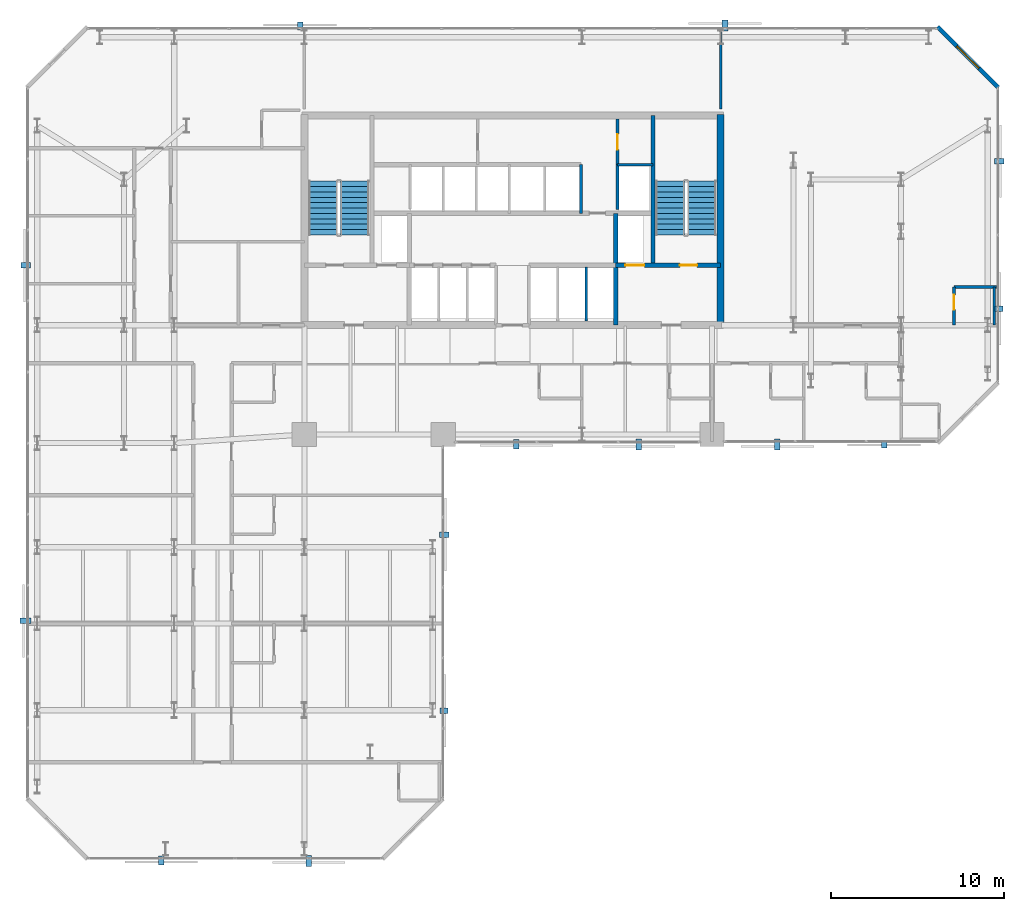
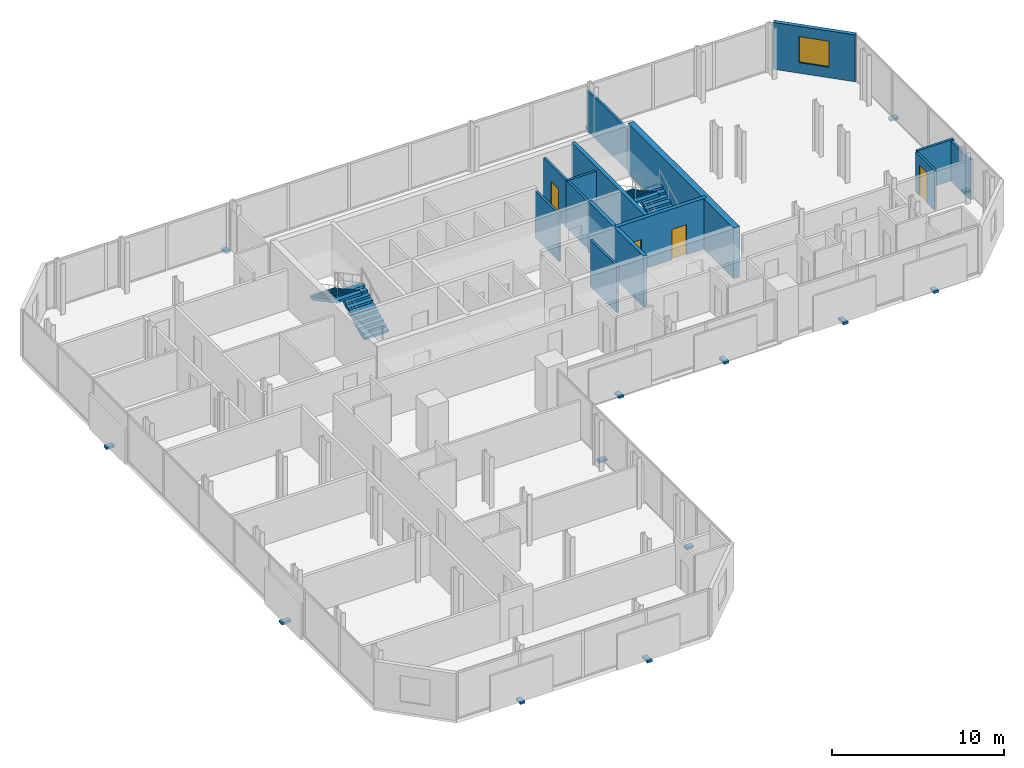
# One storey, part 30 of 32: 14 discrete accessories, 14 walls, 4 doors, 4 stair flights, 1 window, 5 openings, 2 elements without a shape of their own.
"""IFC4 building model written with IfcOpenShell, lengths in metres."""

import ifcopenshell
import ifcopenshell.guid

model = None  # the IFC model being written
_history = None  # IfcOwnerHistory: only IFC2X3 demands one
_inside = {}  # id of a spatial element -> (the spatial element, [elements in it])
_under = {}  # id of a project, library or spatial element -> (it, [spatial elements below it])
_declared = {}  # id of a project -> (the project, [libraries it declares])
_typed = {}  # id of a type object -> (the type object, [elements of that type])
_made_of = {}  # id of a material, layer set ... -> (it, [elements and type objects made of it])


def new_model(schema):
    """Start an empty IFC model of exactly this schema.

    Asked for "IFC4X3", IfcOpenShell would pick the latest addendum, in which some entities
    have other attributes; the version numbers below select the first issue.
    IFC2X3 requires an IfcOwnerHistory on every rooted entity: one is made here for all.
    """
    global model, _history
    if schema == "IFC4X3":
        model = ifcopenshell.file(schema_version=(4, 3, 0, 0))
    else:
        model = ifcopenshell.file(schema=schema)
    _inside.clear()
    _under.clear()
    _declared.clear()
    _typed.clear()
    _made_of.clear()
    _history = None
    if model.schema == "IFC2X3":
        org = make("IfcOrganization", Name="unknown")
        user = make(
            "IfcPersonAndOrganization",
            ThePerson=make("IfcPerson", FamilyName="unknown"),
            TheOrganization=org,
        )
        app = make(
            "IfcApplication",
            ApplicationDeveloper=org,
            Version="unknown",
            ApplicationFullName="unknown",
            ApplicationIdentifier="unknown",
        )
        _history = make(
            "IfcOwnerHistory",
            OwningUser=user,
            OwningApplication=app,
            ChangeAction="ADDED",
            CreationDate=0,
        )
    return model


def make(cls, **values):
    """One entity of the class cls with the attributes given. An attribute that is None is left unset."""
    return model.create_entity(
        cls, **{name: value for name, value in values.items() if value is not None}
    )


def rooted(cls, **values):
    """An entity with a GlobalId (a new one), such as an element, a storey or a relation."""
    return make(cls, GlobalId=ifcopenshell.guid.new(), OwnerHistory=_history, **values)


def si_unit(unit_type, name, prefix=None):
    """IfcSIUnit, for example si_unit("LENGTHUNIT", "METRE", prefix="MILLI")."""
    return make("IfcSIUnit", UnitType=unit_type, Prefix=prefix, Name=name)


def assignment(units):
    """IfcUnitAssignment: the units of a project."""
    return None if units is None else make("IfcUnitAssignment", Units=units)


def point(xyz):
    """IfcCartesianPoint."""
    return None if xyz is None else make("IfcCartesianPoint", Coordinates=xyz)


def direction(xyz):
    """IfcDirection."""
    return None if xyz is None else make("IfcDirection", DirectionRatios=xyz)


def frame(location, z_axis=None, x_axis=None):
    """IfcAxis2Placement3D, a coordinate frame: its origin and axes. An axis left out is left unset."""
    return make(
        "IfcAxis2Placement3D",
        Location=point(location),
        Axis=direction(z_axis),
        RefDirection=direction(x_axis),
    )


def frame_2d(location, x_axis=None):
    """IfcAxis2Placement2D, a coordinate frame in the plane: its origin and x axis."""
    return make(
        "IfcAxis2Placement2D", Location=point(location), RefDirection=direction(x_axis)
    )


def origin():
    """The frame at (0, 0, 0) with its axes left unset."""
    return frame((0.0, 0.0, 0.0))


def origin_2d():
    """The frame at (0, 0) in the plane with its x axis left unset."""
    return frame_2d((0.0, 0.0))


def place(relative_to, where):
    """IfcLocalPlacement: puts the frame where relative to a parent placement (None: the world)."""
    return make(
        "IfcLocalPlacement", PlacementRelTo=relative_to, RelativePlacement=where
    )


def context(
    kind, dimensions, precision=None, world=None, true_north=None, identifier=None
):
    """IfcGeometricRepresentationContext, for example the 3D "Model" context."""
    return make(
        "IfcGeometricRepresentationContext",
        ContextIdentifier=identifier,
        ContextType=kind,
        CoordinateSpaceDimension=dimensions,
        Precision=precision,
        WorldCoordinateSystem=world,
        TrueNorth=true_north,
    )


def subcontext(parent, identifier, kind, view, scale=None):
    """IfcGeometricRepresentationSubContext, for example "Body" below "Model"."""
    return make(
        "IfcGeometricRepresentationSubContext",
        ContextIdentifier=identifier,
        ContextType=kind,
        ParentContext=parent,
        TargetScale=scale,
        TargetView=view,
    )


def project(units=None, contexts=None):
    """IfcProject with its units and contexts."""
    return rooted(
        "IfcProject",
        Name="project",
        RepresentationContexts=contexts,
        UnitsInContext=assignment(units),
    )


def spatial(cls, under=None, at=None, **own):
    """A site, building, storey or space (cls), placed at a placement, below another one or the project."""
    s = rooted(cls, ObjectPlacement=at, **own)
    if under is not None:
        _under.setdefault(under.id(), (under, []))[1].append(s)
    return s


def polyline(points):
    """IfcPolyline through the points."""
    return make("IfcPolyline", Points=[point(p) for p in points])


def profile(cls, at=None, kind="AREA", **sizes):
    """A parametric profile (cls). Its sizes go by their IFC names, for example OverallWidth=200.0."""
    return make(cls, ProfileType=kind, Position=at, **sizes)


def rectangle(**sizes):
    """IfcRectangleProfileDef."""
    return profile("IfcRectangleProfileDef", **sizes)


def outline(outer, holes=None, kind="AREA"):
    """IfcArbitraryClosedProfileDef: a profile drawn as a closed curve; with holes, ...WithVoids."""
    if holes is None:
        return make("IfcArbitraryClosedProfileDef", ProfileType=kind, OuterCurve=outer)
    return make(
        "IfcArbitraryProfileDefWithVoids",
        ProfileType=kind,
        OuterCurve=outer,
        InnerCurves=holes,
    )


def extrude(swept, where, along, depth):
    """IfcExtrudedAreaSolid: the profile swept, set in the frame where, extruded along a direction by depth."""
    return make(
        "IfcExtrudedAreaSolid",
        SweptArea=swept,
        Position=where,
        ExtrudedDirection=direction(along),
        Depth=depth,
    )


def shape(context_of_items, identifier, shape_type, items):
    """IfcShapeRepresentation: the items that make up one representation, for example the "Body"."""
    return make(
        "IfcShapeRepresentation",
        ContextOfItems=context_of_items,
        RepresentationIdentifier=identifier,
        RepresentationType=shape_type,
        Items=items,
    )


def material(Name=None, Category=None):
    """IfcMaterial."""
    return make("IfcMaterial", Name=Name, Category=Category)


def layer(
    of_material, thickness, ventilated=None, Name=None, Category=None, Priority=None
):
    """IfcMaterialLayer: one layer of a wall or slab, of a material (None: an air gap)."""
    return make(
        "IfcMaterialLayer",
        Material=of_material,
        LayerThickness=thickness,
        IsVentilated=ventilated,
        Name=Name,
        Category=Category,
        Priority=Priority,
    )


def layer_set(layers, Name=None):
    """IfcMaterialLayerSet."""
    return make("IfcMaterialLayerSet", MaterialLayers=layers, LayerSetName=Name)


def made_of(thing, what):
    """Note that an element or type object is made of a material, layer set ...; save() writes the relation."""
    if what is not None:
        _made_of.setdefault(what.id(), (what, []))[1].append(thing)
    return thing


def type_object(cls, material=None, **own):
    """A type object (cls), such as IfcWallType, which elements share."""
    return made_of(rooted(cls, **own), material)


def element(
    cls,
    number,
    at=None,
    inside=None,
    cuts=None,
    type_object=None,
    material=None,
    context=None,
    identifier="Body",
    shape_type=None,
    held_by="IfcProductDefinitionShape",
    body=None,
    shapes=None,
    **own,
):
    """One element of the class cls, such as IfcWall. Its Tag is "e" and its number.

    at: its placement. inside: the storey or other place that contains it. cuts: it is an
    opening in that element (IfcRelVoidsElement). A single representation is given by context,
    identifier, shape_type and body (its items); several are given by shapes. held_by: the class
    of the entity that holds the representations. save() writes the other relations.
    """
    e = rooted(cls, Tag="e%d" % number, ObjectPlacement=at, **own)
    if body is not None:
        shapes = [shape(context, identifier, shape_type, body)]
    if shapes is not None:
        e.Representation = make(held_by, Representations=shapes)
    if inside is not None:
        _inside.setdefault(inside.id(), (inside, []))[1].append(e)
    if cuts is not None:
        rooted(
            "IfcRelVoidsElement", RelatingBuildingElement=cuts, RelatedOpeningElement=e
        )
    if type_object is not None:
        _typed.setdefault(type_object.id(), (type_object, []))[1].append(e)
    return made_of(e, material)


def fill(opening, filler):
    """IfcRelFillsElement: the door or window that sits in an opening."""
    return rooted(
        "IfcRelFillsElement",
        RelatingOpeningElement=opening,
        RelatedBuildingElement=filler,
    )


def aggregate(whole, parts):
    """IfcRelAggregates: a whole, such as a stair, and the parts it consists of."""
    return rooted("IfcRelAggregates", RelatingObject=whole, RelatedObjects=parts)


def save(model, path):
    """Write the relations noted so far, then the file.

    IfcRelAggregates (storeys below a building ...), IfcRelContainedInSpatialStructure (elements
    in a storey), IfcRelDefinesByType, IfcRelAssociatesMaterial and IfcRelDeclares: one each for
    every whole, place, type object, material and project.
    """
    for whole, parts in _under.values():
        aggregate(whole, parts)
    for where, things in _inside.values():
        rooted(
            "IfcRelContainedInSpatialStructure",
            RelatedElements=things,
            RelatingStructure=where,
        )
    for kind, things in _typed.values():
        rooted("IfcRelDefinesByType", RelatedObjects=things, RelatingType=kind)
    for what, things in _made_of.values():
        rooted("IfcRelAssociatesMaterial", RelatedObjects=things, RelatingMaterial=what)
    for by, libraries in _declared.values():
        rooted("IfcRelDeclares", RelatingContext=by, RelatedDefinitions=libraries)
    model.write(path)


model = new_model("IFC4")

# Units and contexts
model_context = context("Model", 3, precision=1e-05, world=origin(), true_north=direction((0.0, 1.0)))
body_context = subcontext(model_context, "Body", "Model", "MODEL_VIEW")
ifc_project = project(units=[si_unit("LENGTHUNIT", "METRE"), si_unit("AREAUNIT", "SQUARE_METRE"), si_unit("VOLUMEUNIT", "CUBIC_METRE"), si_unit("PLANEANGLEUNIT", "RADIAN"), si_unit("MASSUNIT", "GRAM", prefix="KILO")], contexts=[model_context])

# Site, building, storey
site_placement = place(None, origin())
site = spatial("IfcSite", under=ifc_project, at=site_placement, CompositionType="ELEMENT")
building_placement = place(site_placement, origin())
building = spatial("IfcBuilding", under=site, at=building_placement, Name="Catumbela Crestline Tower", CompositionType="ELEMENT")
storey_placement = place(building_placement, frame((0.0, 0.0, 65.4)))
storey = spatial("IfcBuildingStorey", under=building, at=storey_placement, Name="L16", CompositionType="ELEMENT", Elevation=65.4)

# Walls
ifc_material_1 = material(Name="Concrete C50/60", Category="concrete")
ifc_layer_1 = layer(ifc_material_1, 0.25, Name="Concrete C50/60")
ifc_layer_set_1 = layer_set([ifc_layer_1], Name="Concrete C50/60")
wall_type_1 = type_object("IfcWallType", Name="CW-250D", PredefinedType="SHEAR", material=ifc_layer_set_1)
wall_1_placement = place(storey_placement, frame((36.1, 34.25, 0.0), z_axis=(0.0, 0.0, 1.0), x_axis=(0.0, 1.0, 0.0)))
element("IfcWall", 1, at=wall_1_placement, inside=storey, type_object=wall_type_1, Name="L16 Structural Core Shear Wall EWEB", PredefinedType="SHEAR", context=body_context, shape_type="SweptSolid", body=[
    extrude(rectangle(XDim=8.65, YDim=0.25, at=frame_2d((4.325, 0.0))), origin(), (0.0, 0.0, 1.0), 3.6),
])
wall_2_placement = place(storey_placement, frame((33.95, 30.8, 0.0), z_axis=(0.0, 0.0, 1.0), x_axis=(0.0, 1.0, 0.0)))
element("IfcWall", 2, at=wall_2_placement, inside=storey, type_object=wall_type_1, Name="L16 Structural Core Shear Wall FFE", PredefinedType="SHEAR", context=body_context, shape_type="SweptSolid", body=[
    extrude(rectangle(XDim=6.45, YDim=0.25, at=frame_2d((3.225, 0.0))), origin(), (0.0, 0.0, 1.0), 3.6),
])

# Wall, openings, doors
wall_3_placement = place(storey_placement, frame((33.95, 34.25, 0.0), z_axis=(0.0, 0.0, 1.0), x_axis=(1.0, 0.0, 0.0)))
wall_3 = element("IfcWall", 3, at=wall_3_placement, inside=storey, type_object=wall_type_1, Name="L16 Structural Core Shear Wall ST2S", PredefinedType="SHEAR", context=body_context, shape_type="SweptSolid", body=[
    extrude(rectangle(XDim=6.05, YDim=0.25, at=frame_2d((3.025, 0.0))), origin(), (0.0, 0.0, 1.0), 3.6),
])
opening_1_placement = place(wall_3_placement, frame((3.7, 0.0, 0.0)))
opening_1 = element("IfcOpeningElement", 4, at=opening_1_placement, cuts=wall_3, Name="Opening DF9-100", PredefinedType="OPENING", context=body_context, shape_type="SweptSolid", body=[
    extrude(rectangle(XDim=1.0, YDim=2.15, at=frame_2d((0.5, 1.075))), frame((0.0, 0.135, 0.0), z_axis=(0.0, -1.0, 0.0), x_axis=(1.0, 0.0, 0.0)), (0.0, 0.0, 1.0), 0.27),
])
opening_2_placement = place(wall_3_placement, frame((0.55, 0.0, 0.0)))
opening_2 = element("IfcOpeningElement", 5, at=opening_2_placement, cuts=wall_3, Name="Opening LD-110", PredefinedType="OPENING", context=body_context, shape_type="SweptSolid", body=[
    extrude(rectangle(XDim=1.1, YDim=2.15, at=frame_2d((0.55, 1.075))), frame((0.0, 0.135, 0.0), z_axis=(0.0, -1.0, 0.0), x_axis=(1.0, 0.0, 0.0)), (0.0, 0.0, 1.0), 0.27),
])
ifc_material_2 = material(Name="Stainless steel EN 1.4401", Category="steel")
door_type_1 = type_object("IfcDoorType", Name="DF9-100", OperationType="NOTDEFINED", PredefinedType="DOOR", material=ifc_material_2)
door_1_placement = place(opening_1_placement, origin())
door_1 = element("IfcDoor", 6, at=door_1_placement, inside=storey, type_object=door_type_1, Name="L16 Interior Door DR-L16-ST02", OperationType="SINGLE_SWING_RIGHT", OverallHeight=2.15, OverallWidth=1.0, PredefinedType="DOOR", context=body_context, shape_type="SweptSolid", body=[
    extrude(rectangle(XDim=1.0, YDim=2.15, at=frame_2d((0.5, 1.075))), frame((0.0, 0.025, 0.0), z_axis=(0.0, -1.0, 0.0), x_axis=(1.0, 0.0, 0.0)), (0.0, 0.0, 1.0), 0.05),
])
fill(opening_1, door_1)
door_type_2 = type_object("IfcDoorType", Name="LD-110", OperationType="NOTDEFINED", PredefinedType="DOOR", material=ifc_material_2)
door_2_placement = place(opening_2_placement, origin())
door_2 = element("IfcDoor", 7, at=door_2_placement, inside=storey, type_object=door_type_2, Name="L16 Lift Landing Sliding Door FL-02", OperationType="DOUBLE_DOOR_SLIDING", OverallHeight=2.15, OverallWidth=1.1, PredefinedType="DOOR", context=body_context, shape_type="SweptSolid", body=[
    extrude(rectangle(XDim=1.1, YDim=2.15, at=frame_2d((0.55, 1.075))), frame((0.0, 0.025, 0.0), z_axis=(0.0, -1.0, 0.0), x_axis=(1.0, 0.0, 0.0)), (0.0, 0.0, 1.0), 0.05),
])
fill(opening_2, door_2)

# Wall
ifc_material_3 = material(Name="Concrete C60/75", Category="concrete")
ifc_layer_2 = layer(ifc_material_3, 0.4, Name="Concrete C60/75")
ifc_layer_set_2 = layer_set([ifc_layer_2], Name="Concrete C60/75")
wall_type_2 = type_object("IfcWallType", Name="CW-400A", PredefinedType="SHEAR", material=ifc_layer_set_2)
wall_4_placement = place(storey_placement, frame((40.0, 30.65, 0.0), z_axis=(0.0, 0.0, 1.0), x_axis=(0.0, 1.0, 0.0)))
element("IfcWall", 8, at=wall_4_placement, inside=storey, type_object=wall_type_2, Name="L16 Structural Core Shear Wall E", PredefinedType="SHEAR", context=body_context, shape_type="SweptSolid", body=[
    extrude(rectangle(XDim=12.3, YDim=0.4, at=frame_2d((6.15, 0.0))), origin(), (0.0, 0.0, 1.0), 3.6),
])

# Wall, opening, window
ifc_material_4 = material(Name="Angolan grey-ochre granite", Category="masonry")
ifc_layer_3 = layer(ifc_material_4, 0.25, Name="Angolan grey-ochre granite")
ifc_layer_set_3 = layer_set([ifc_layer_3], Name="Angolan grey-ochre granite")
wall_type_3 = type_object("IfcWallType", Name="WE-250", PredefinedType="STANDARD", material=ifc_layer_set_3)
wall_5_placement = place(storey_placement, frame((56.0, 44.5, 0.0), z_axis=(0.0, 0.0, 1.0), x_axis=(-0.707106781187, 0.707106781187, 0.0)))
wall_5 = element("IfcWall", 9, at=wall_5_placement, inside=storey, type_object=wall_type_3, Name="L16 Granite Punched Window Wall 6-1", PredefinedType="STANDARD", context=body_context, shape_type="SweptSolid", body=[
    extrude(rectangle(XDim=4.9497, YDim=0.25, at=frame_2d((2.4748, 0.0))), origin(), (0.0, 0.0, 1.0), 3.33),
])
opening_3_placement = place(wall_5_placement, frame((1.5749, 0.0, 0.75)))
opening_3 = element("IfcOpeningElement", 10, at=opening_3_placement, cuts=wall_5, Name="Opening WN-01", PredefinedType="OPENING", context=body_context, shape_type="SweptSolid", body=[
    extrude(rectangle(XDim=1.8, YDim=1.85, at=frame_2d((0.9, 0.925))), frame((0.0, 0.135, 0.0), z_axis=(0.0, -1.0, 0.0), x_axis=(1.0, 0.0, 0.0)), (0.0, 0.0, 1.0), 0.27),
])
ifc_material_5 = material(Name="Low-E laminated solar-control double glazing", Category="glass")
window_type = type_object("IfcWindowType", Name="WF-1800", PartitioningType="SINGLE_PANEL", PredefinedType="WINDOW", material=ifc_material_5)
window_placement = place(opening_3_placement, origin())
window = element("IfcWindow", 11, at=window_placement, inside=storey, type_object=window_type, Name="L16 Facade Vision Window 105", OverallHeight=1.85, OverallWidth=1.8, PartitioningType="SINGLE_PANEL", PredefinedType="WINDOW", context=body_context, shape_type="SweptSolid", body=[
    extrude(rectangle(XDim=1.8, YDim=1.85, at=frame_2d((0.9, 0.925))), frame((0.0, 0.03, 0.0), z_axis=(0.0, -1.0, 0.0), x_axis=(1.0, 0.0, 0.0)), (0.0, 0.0, 1.0), 0.06),
])
fill(opening_3, window)

# Wall
ifc_material_6 = material(Name="Acoustic gypsum and mineral-wool partition")
ifc_layer_4 = layer(ifc_material_6, 0.15, Name="Acoustic gypsum and mineral-wool partition")
ifc_layer_set_4 = layer_set([ifc_layer_4], Name="Acoustic gypsum and mineral-wool partition")
wall_type_4 = type_object("IfcWallType", Name="WP-150", PredefinedType="PARTITIONING", material=ifc_layer_set_4)
wall_6_placement = place(storey_placement, frame((34.05, 40.05, 0.0), z_axis=(0.0, 0.0, 1.0), x_axis=(1.0, 0.0, 0.0)))
element("IfcWall", 12, at=wall_6_placement, inside=storey, type_object=wall_type_4, Name="L16 Interior Partition PW-L16-CR-ES", PredefinedType="PARTITIONING", context=body_context, shape_type="SweptSolid", body=[
    extrude(rectangle(XDim=2.05, YDim=0.15, at=frame_2d((1.025, 0.0))), origin(), (0.0, 0.0, 1.0), 3.33),
])

# Wall, opening, door
wall_7_placement = place(storey_placement, frame((34.05, 40.05, 0.0), z_axis=(0.0, 0.0, 1.0), x_axis=(0.0, 1.0, 0.0)))
wall_7 = element("IfcWall", 13, at=wall_7_placement, inside=storey, type_object=wall_type_4, Name="L16 Interior Partition PW-L16-CR-EW", PredefinedType="PARTITIONING", context=body_context, shape_type="SweptSolid", body=[
    extrude(rectangle(XDim=2.63, YDim=0.15, at=frame_2d((1.315, 0.0))), origin(), (0.0, 0.0, 1.0), 3.33),
])
opening_4_placement = place(wall_7_placement, frame((0.865, 0.0, 0.0)))
opening_4 = element("IfcOpeningElement", 14, at=opening_4_placement, cuts=wall_7, Name="Opening DF9-090", PredefinedType="OPENING", context=body_context, shape_type="SweptSolid", body=[
    extrude(rectangle(XDim=0.9, YDim=2.15, at=frame_2d((0.45, 1.075))), frame((0.0, 0.085, 0.0), z_axis=(0.0, -1.0, 0.0), x_axis=(1.0, 0.0, 0.0)), (0.0, 0.0, 1.0), 0.17),
])
door_type_3 = type_object("IfcDoorType", Name="DF9-090", OperationType="NOTDEFINED", PredefinedType="DOOR", material=ifc_material_2)
door_3_placement = place(opening_4_placement, origin())
door_3 = element("IfcDoor", 15, at=door_3_placement, inside=storey, type_object=door_type_3, Name="L16 Interior Door DR-L16-CREAST", OperationType="SINGLE_SWING_RIGHT", OverallHeight=2.15, OverallWidth=0.9, PredefinedType="DOOR", context=body_context, shape_type="SweptSolid", body=[
    extrude(rectangle(XDim=0.9, YDim=2.15, at=frame_2d((0.45, 1.075))), frame((0.0, 0.025, 0.0), z_axis=(0.0, -1.0, 0.0), x_axis=(1.0, 0.0, 0.0)), (0.0, 0.0, 1.0), 0.05),
])
fill(opening_4, door_3)

# Walls
wall_8_placement = place(storey_placement, frame((40.0, 43.27, 0.0), z_axis=(0.0, 0.0, 1.0), x_axis=(0.0, 1.0, 0.0)))
element("IfcWall", 16, at=wall_8_placement, inside=storey, type_object=wall_type_4, Name="L16 Interior Partition PW-L16-NCF-E", PredefinedType="PARTITIONING", context=body_context, shape_type="SweptSolid", body=[
    extrude(rectangle(XDim=4.63, YDim=0.15, at=frame_2d((2.315, 0.0))), origin(), (0.0, 0.0, 1.0), 2.92),
])
wall_9_placement = place(storey_placement, frame((53.45, 33.0, 0.0), z_axis=(0.0, 0.0, 1.0), x_axis=(1.0, 0.0, 0.0)))
element("IfcWall", 17, at=wall_9_placement, inside=storey, type_object=wall_type_4, Name="L16 Interior Partition PW-L16-NES-BHW", PredefinedType="PARTITIONING", context=body_context, shape_type="SweptSolid", body=[
    extrude(rectangle(XDim=2.45, YDim=0.15, at=frame_2d((1.225, 0.0))), origin(), (0.0, 0.0, 1.0), 2.92),
])

# Wall, opening, door
wall_10_placement = place(storey_placement, frame((53.45, 30.8, 0.0), z_axis=(0.0, 0.0, 1.0), x_axis=(0.0, 1.0, 0.0)))
wall_10 = element("IfcWall", 18, at=wall_10_placement, inside=storey, type_object=wall_type_4, Name="L16 Interior Partition PW-L16-NES-BWW", PredefinedType="PARTITIONING", context=body_context, shape_type="SweptSolid", body=[
    extrude(rectangle(XDim=2.2, YDim=0.15, at=frame_2d((1.1, 0.0))), origin(), (0.0, 0.0, 1.0), 2.83),
])
opening_5_placement = place(wall_10_placement, frame((0.8925, 0.0, 0.0)))
opening_5 = element("IfcOpeningElement", 19, at=opening_5_placement, cuts=wall_10, Name="Opening DI-085", PredefinedType="OPENING", context=body_context, shape_type="SweptSolid", body=[
    extrude(rectangle(XDim=0.85, YDim=2.15, at=frame_2d((0.425, 1.075))), frame((0.0, 0.085, 0.0), z_axis=(0.0, -1.0, 0.0), x_axis=(1.0, 0.0, 0.0)), (0.0, 0.0, 1.0), 0.17),
])
ifc_material_7 = material(Name="Aluminium alloy AW-6060-T66", Category="aluminium")
door_type_4 = type_object("IfcDoorType", Name="DI-085", OperationType="NOTDEFINED", PredefinedType="DOOR", material=ifc_material_7)
door_4_placement = place(opening_5_placement, origin())
door_4 = element("IfcDoor", 20, at=door_4_placement, inside=storey, type_object=door_type_4, Name="L16 Interior Door DR-L16-NES-BTH", OperationType="SINGLE_SWING_RIGHT", OverallHeight=2.15, OverallWidth=0.85, PredefinedType="DOOR", context=body_context, shape_type="SweptSolid", body=[
    extrude(rectangle(XDim=0.85, YDim=2.15, at=frame_2d((0.425, 1.075))), frame((0.0, 0.025, 0.0), z_axis=(0.0, -1.0, 0.0), x_axis=(1.0, 0.0, 0.0)), (0.0, 0.0, 1.0), 0.05),
])
fill(opening_5, door_4)

# Walls
wall_11_placement = place(storey_placement, frame((55.78, 33.0, 0.0), z_axis=(0.0, 0.0, 1.0), x_axis=(0.0, -1.0, 0.0)))
element("IfcWall", 21, at=wall_11_placement, inside=storey, type_object=wall_type_4, Name="L16 Interior Partition PW-L16-NES-BCL-2", PredefinedType="PARTITIONING", context=body_context, shape_type="SweptSolid", body=[
    extrude(rectangle(XDim=2.2, YDim=0.15, at=frame_2d((1.1, 0.0))), origin(), (0.0, 0.0, 1.0), 2.83),
])
ifc_layer_5 = layer(ifc_material_6, 0.15, Name="Acoustic gypsum and mineral-wool partition")
ifc_layer_set_5 = layer_set([ifc_layer_5], Name="Acoustic gypsum and mineral-wool partition")
wall_type_5 = type_object("IfcWallType", Name="WS-150", PredefinedType="PLUMBINGWALL", material=ifc_layer_set_5)
wall_12_placement = place(storey_placement, frame((32.25, 31.05, 0.0), z_axis=(0.0, 0.0, 1.0), x_axis=(0.0, 1.0, 0.0)))
element("IfcWall", 22, at=wall_12_placement, inside=storey, type_object=wall_type_5, Name="L16 Interior Partition PW-L16-SHM2", PredefinedType="PLUMBINGWALL", context=body_context, shape_type="SweptSolid", body=[
    extrude(rectangle(XDim=3.1, YDim=0.15, at=frame_2d((1.55, 0.0))), origin(), (0.0, 0.0, 1.0), 3.33),
])
wall_13_placement = place(storey_placement, frame((31.95, 37.25, 0.0), z_axis=(0.0, 0.0, 1.0), x_axis=(0.0, 1.0, 0.0)))
element("IfcWall", 23, at=wall_13_placement, inside=storey, type_object=wall_type_5, Name="L16 Interior Partition PW-L16-SHEX2E", PredefinedType="PLUMBINGWALL", context=body_context, shape_type="SweptSolid", body=[
    extrude(rectangle(XDim=2.8, YDim=0.15, at=frame_2d((1.4, 0.0))), origin(), (0.0, 0.0, 1.0), 3.33),
])
wall_14_placement = place(storey_placement, frame((34.05, 37.4734, 0.0), z_axis=(0.0, 0.0, 1.0), x_axis=(0.0, 1.0, 0.0)))
element("IfcWall", 24, at=wall_14_placement, inside=storey, type_object=wall_type_5, Name="L16 Interior Partition PW-L16-RISW", PredefinedType="PLUMBINGWALL", context=body_context, shape_type="SweptSolid", body=[
    extrude(rectangle(XDim=2.5766, YDim=0.15, at=frame_2d((1.2883, 0.0))), origin(), (0.0, 0.0, 1.0), 3.33),
])

# Stair, stair flights
ifc_material_8 = material(Name="Concrete C45/55", Category="concrete")
stair_type = type_object("IfcStairType", Name="ST-DLG", PredefinedType="HALF_TURN_STAIR", material=ifc_material_8)
stair_1_placement = place(storey_placement, origin())
stair_1 = element("IfcStair", 25, at=stair_1_placement, inside=storey, type_object=stair_type, Name="L16 West Core Pressurised Exit Stair ST-01", PredefinedType="HALF_TURN_STAIR")
stair_flight_type = type_object("IfcStairFlightType", Name="SF-1636", PredefinedType="STRAIGHT", material=ifc_material_8)
stair_flight_1_placement = place(storey_placement, frame((18.92, 36.0, 0.0), z_axis=(0.0, 0.0, 1.0), x_axis=(0.0, 1.0, 0.0)))
stair_flight_1 = element("IfcStairFlight", 26, at=stair_flight_1_placement, type_object=stair_flight_type, Name="ST-01 flight 1", NumberOfRisers=11, NumberOfTreads=10, PredefinedType="STRAIGHT", RiserHeight=0.163636364, TreadLength=0.31, context=body_context, shape_type="SweptSolid", body=[
    extrude(outline(polyline([(0.0, 0.0), (0.0, 0.1636), (0.31, 0.1636), (0.31, 0.3273), (0.62, 0.3273), (0.62, 0.4909), (0.93, 0.4909), (0.93, 0.6545), (1.24, 0.6545), (1.24, 0.8182), (1.55, 0.8182), (1.55, 0.9818), (1.86, 0.9818), (1.86, 1.1455), (2.17, 1.1455), (2.17, 1.3091), (2.48, 1.3091), (2.48, 1.4727), (2.79, 1.4727), (2.79, 1.6364), (3.1, 1.6364), (3.1, 1.8), (3.1, 1.4554), (0.3427, 0.0), (0.0, 0.0)])), frame((0.0, 0.83, 0.0), z_axis=(0.0, -1.0, 0.0), x_axis=(1.0, 0.0, 0.0)), (0.0, 0.0, 1.0), 1.66),
])
stair_flight_2_placement = place(storey_placement, frame((17.08, 39.1, 1.8), z_axis=(0.0, 0.0, 1.0), x_axis=(0.0, -1.0, 0.0)))
stair_flight_2 = element("IfcStairFlight", 27, at=stair_flight_2_placement, type_object=stair_flight_type, Name="ST-01 flight 2", NumberOfRisers=11, NumberOfTreads=10, PredefinedType="STRAIGHT", RiserHeight=0.163636364, TreadLength=0.31, context=body_context, shape_type="SweptSolid", body=[
    extrude(outline(polyline([(0.0, 0.0), (0.0, 0.1636), (0.31, 0.1636), (0.31, 0.3273), (0.62, 0.3273), (0.62, 0.4909), (0.93, 0.4909), (0.93, 0.6545), (1.24, 0.6545), (1.24, 0.8182), (1.55, 0.8182), (1.55, 0.9818), (1.86, 0.9818), (1.86, 1.1455), (2.17, 1.1455), (2.17, 1.3091), (2.48, 1.3091), (2.48, 1.4727), (2.79, 1.4727), (2.79, 1.6364), (3.1, 1.6364), (3.1, 1.8), (3.1, 1.4554), (0.3427, 0.0), (0.0, 0.0)])), frame((0.0, 0.83, 0.0), z_axis=(0.0, -1.0, 0.0), x_axis=(1.0, 0.0, 0.0)), (0.0, 0.0, 1.0), 1.66),
])
aggregate(stair_1, [stair_flight_1, stair_flight_2])

stair_2_placement = place(storey_placement, origin())
stair_2 = element("IfcStair", 28, at=stair_2_placement, inside=storey, type_object=stair_type, Name="L16 East Core Pressurised Exit Stair ST-02", PredefinedType="HALF_TURN_STAIR")
stair_flight_3_placement = place(storey_placement, frame((38.92, 36.0, 0.0), z_axis=(0.0, 0.0, 1.0), x_axis=(0.0, 1.0, 0.0)))
stair_flight_3 = element("IfcStairFlight", 29, at=stair_flight_3_placement, type_object=stair_flight_type, Name="ST-02 flight 1", NumberOfRisers=11, NumberOfTreads=10, PredefinedType="STRAIGHT", RiserHeight=0.163636364, TreadLength=0.31, context=body_context, shape_type="SweptSolid", body=[
    extrude(outline(polyline([(0.0, 0.0), (0.0, 0.1636), (0.31, 0.1636), (0.31, 0.3273), (0.62, 0.3273), (0.62, 0.4909), (0.93, 0.4909), (0.93, 0.6545), (1.24, 0.6545), (1.24, 0.8182), (1.55, 0.8182), (1.55, 0.9818), (1.86, 0.9818), (1.86, 1.1455), (2.17, 1.1455), (2.17, 1.3091), (2.48, 1.3091), (2.48, 1.4727), (2.79, 1.4727), (2.79, 1.6364), (3.1, 1.6364), (3.1, 1.8), (3.1, 1.4554), (0.3427, 0.0), (0.0, 0.0)])), frame((0.0, 0.83, 0.0), z_axis=(0.0, -1.0, 0.0), x_axis=(1.0, 0.0, 0.0)), (0.0, 0.0, 1.0), 1.66),
])
stair_flight_4_placement = place(storey_placement, frame((37.08, 39.1, 1.8), z_axis=(0.0, 0.0, 1.0), x_axis=(0.0, -1.0, 0.0)))
stair_flight_4 = element("IfcStairFlight", 30, at=stair_flight_4_placement, type_object=stair_flight_type, Name="ST-02 flight 2", NumberOfRisers=11, NumberOfTreads=10, PredefinedType="STRAIGHT", RiserHeight=0.163636364, TreadLength=0.31, context=body_context, shape_type="SweptSolid", body=[
    extrude(outline(polyline([(0.0, 0.0), (0.0, 0.1636), (0.31, 0.1636), (0.31, 0.3273), (0.62, 0.3273), (0.62, 0.4909), (0.93, 0.4909), (0.93, 0.6545), (1.24, 0.6545), (1.24, 0.8182), (1.55, 0.8182), (1.55, 0.9818), (1.86, 0.9818), (1.86, 1.1455), (2.17, 1.1455), (2.17, 1.3091), (2.48, 1.3091), (2.48, 1.4727), (2.79, 1.4727), (2.79, 1.6364), (3.1, 1.6364), (3.1, 1.8), (3.1, 1.4554), (0.3427, 0.0), (0.0, 0.0)])), frame((0.0, 0.83, 0.0), z_axis=(0.0, -1.0, 0.0), x_axis=(1.0, 0.0, 0.0)), (0.0, 0.0, 1.0), 1.66),
])
aggregate(stair_2, [stair_flight_3, stair_flight_4])

# Discrete accessories
discrete_accessory_type = type_object("IfcDiscreteAccessoryType", Name="BK-SS1", PredefinedType="BRACKET", material=ifc_material_2)
discrete_accessory_1_placement = place(storey_placement, frame((7.75, -0.065, -0.18), z_axis=(0.0, 0.0, 1.0), x_axis=(1.0, 0.0, 0.0)))
element("IfcDiscreteAccessory", 31, at=discrete_accessory_1_placement, inside=storey, type_object=discrete_accessory_type, Name="L16 Solar Screen Stainless Bracket 155", PredefinedType="BRACKET", context=body_context, shape_type="SweptSolid", body=[
    extrude(rectangle(XDim=0.32, YDim=0.54, at=origin_2d()), origin(), (0.0, 0.0, 1.0), 0.16),
])
discrete_accessory_2_placement = place(storey_placement, frame((16.25, -0.085, -0.18), z_axis=(0.0, 0.0, 1.0), x_axis=(1.0, 0.0, 0.0)))
element("IfcDiscreteAccessory", 32, at=discrete_accessory_2_placement, inside=storey, type_object=discrete_accessory_type, Name="L16 Solar Screen Stainless Bracket 156", PredefinedType="BRACKET", context=body_context, shape_type="SweptSolid", body=[
    extrude(rectangle(XDim=0.32, YDim=0.62, at=origin_2d()), origin(), (0.0, 0.0, 1.0), 0.16),
])
discrete_accessory_3_placement = place(storey_placement, frame((24.045, 8.575, -0.18), z_axis=(0.0, 0.0, 1.0), x_axis=(0.0, 1.0, 0.0)))
element("IfcDiscreteAccessory", 33, at=discrete_accessory_3_placement, inside=storey, type_object=discrete_accessory_type, Name="L16 Solar Screen Stainless Bracket 157", PredefinedType="BRACKET", context=body_context, shape_type="SweptSolid", body=[
    extrude(rectangle(XDim=0.32, YDim=0.46, at=origin_2d()), origin(), (0.0, 0.0, 1.0), 0.16),
])
for number, where, z_axis, x_axis, name in (
    (34, (24.065, 18.725, -0.18), (0.0, 0.0, 1.0), (0.0, 1.0, 0.0), "L16 Solar Screen Stainless Bracket 158"),
    (35, (28.225, 23.935, -0.18), (0.0, 0.0, 1.0), (1.0, 0.0, 0.0), "L16 Solar Screen Stainless Bracket 159"),
):
    element("IfcDiscreteAccessory", number, at=place(storey_placement, frame(where, z_axis=z_axis, x_axis=x_axis)), inside=storey, type_object=discrete_accessory_type, Name=name, PredefinedType="BRACKET", context=body_context, shape_type="SweptSolid", body=[
        extrude(rectangle(XDim=0.32, YDim=0.54, at=origin_2d()), origin(), (0.0, 0.0, 1.0), 0.16),
    ])
for number, where, z_axis, x_axis, name in (
    (36, (35.275, 23.915, -0.18), (0.0, 0.0, 1.0), (1.0, 0.0, 0.0), "L16 Solar Screen Stainless Bracket 160"),
    (37, (43.275, 23.915, -0.18), (0.0, 0.0, 1.0), (1.0, 0.0, 0.0), "L16 Solar Screen Stainless Bracket 161"),
):
    element("IfcDiscreteAccessory", number, at=place(storey_placement, frame(where, z_axis=z_axis, x_axis=x_axis)), inside=storey, type_object=discrete_accessory_type, Name=name, PredefinedType="BRACKET", context=body_context, shape_type="SweptSolid", body=[
        extrude(rectangle(XDim=0.32, YDim=0.62, at=origin_2d()), origin(), (0.0, 0.0, 1.0), 0.16),
    ])
for number, where, z_axis, x_axis, name in (
    (38, (49.425, 23.955, -0.18), (0.0, 0.0, 1.0), (1.0, 0.0, 0.0), "L16 Solar Screen Stainless Bracket 162"),
    (39, (56.045, 31.75, -0.18), (0.0, 0.0, 1.0), (0.0, 1.0, 0.0), "L16 Solar Screen Stainless Bracket 163"),
):
    element("IfcDiscreteAccessory", number, at=place(storey_placement, frame(where, z_axis=z_axis, x_axis=x_axis)), inside=storey, type_object=discrete_accessory_type, Name=name, PredefinedType="BRACKET", context=body_context, shape_type="SweptSolid", body=[
        extrude(rectangle(XDim=0.32, YDim=0.46, at=origin_2d()), origin(), (0.0, 0.0, 1.0), 0.16),
    ])
discrete_accessory_4_placement = place(storey_placement, frame((56.065, 40.25, -0.18), z_axis=(0.0, 0.0, 1.0), x_axis=(0.0, 1.0, 0.0)))
element("IfcDiscreteAccessory", 40, at=discrete_accessory_4_placement, inside=storey, type_object=discrete_accessory_type, Name="L16 Solar Screen Stainless Bracket 164", PredefinedType="BRACKET", context=body_context, shape_type="SweptSolid", body=[
    extrude(rectangle(XDim=0.32, YDim=0.54, at=origin_2d()), origin(), (0.0, 0.0, 1.0), 0.16),
])
discrete_accessory_5_placement = place(storey_placement, frame((40.25, 48.085, -0.18), z_axis=(0.0, 0.0, 1.0), x_axis=(-1.0, 0.0, 0.0)))
element("IfcDiscreteAccessory", 41, at=discrete_accessory_5_placement, inside=storey, type_object=discrete_accessory_type, Name="L16 Solar Screen Stainless Bracket 165", PredefinedType="BRACKET", context=body_context, shape_type="SweptSolid", body=[
    extrude(rectangle(XDim=0.32, YDim=0.62, at=origin_2d()), origin(), (0.0, 0.0, 1.0), 0.16),
])
discrete_accessory_6_placement = place(storey_placement, frame((15.75, 48.045, -0.18), z_axis=(0.0, 0.0, 1.0), x_axis=(-1.0, 0.0, 0.0)))
element("IfcDiscreteAccessory", 42, at=discrete_accessory_6_placement, inside=storey, type_object=discrete_accessory_type, Name="L16 Solar Screen Stainless Bracket 166", PredefinedType="BRACKET", context=body_context, shape_type="SweptSolid", body=[
    extrude(rectangle(XDim=0.32, YDim=0.46, at=origin_2d()), origin(), (0.0, 0.0, 1.0), 0.16),
])
discrete_accessory_7_placement = place(storey_placement, frame((-0.065, 34.25, -0.18), z_axis=(0.0, 0.0, 1.0), x_axis=(0.0, -1.0, 0.0)))
element("IfcDiscreteAccessory", 43, at=discrete_accessory_7_placement, inside=storey, type_object=discrete_accessory_type, Name="L16 Solar Screen Stainless Bracket 167", PredefinedType="BRACKET", context=body_context, shape_type="SweptSolid", body=[
    extrude(rectangle(XDim=0.32, YDim=0.54, at=origin_2d()), origin(), (0.0, 0.0, 1.0), 0.16),
])
discrete_accessory_8_placement = place(storey_placement, frame((-0.085, 13.75, -0.18), z_axis=(0.0, 0.0, 1.0), x_axis=(0.0, -1.0, 0.0)))
element("IfcDiscreteAccessory", 44, at=discrete_accessory_8_placement, inside=storey, type_object=discrete_accessory_type, Name="L16 Solar Screen Stainless Bracket 168", PredefinedType="BRACKET", context=body_context, shape_type="SweptSolid", body=[
    extrude(rectangle(XDim=0.32, YDim=0.62, at=origin_2d()), origin(), (0.0, 0.0, 1.0), 0.16),
])

save(model, "model.ifc")
